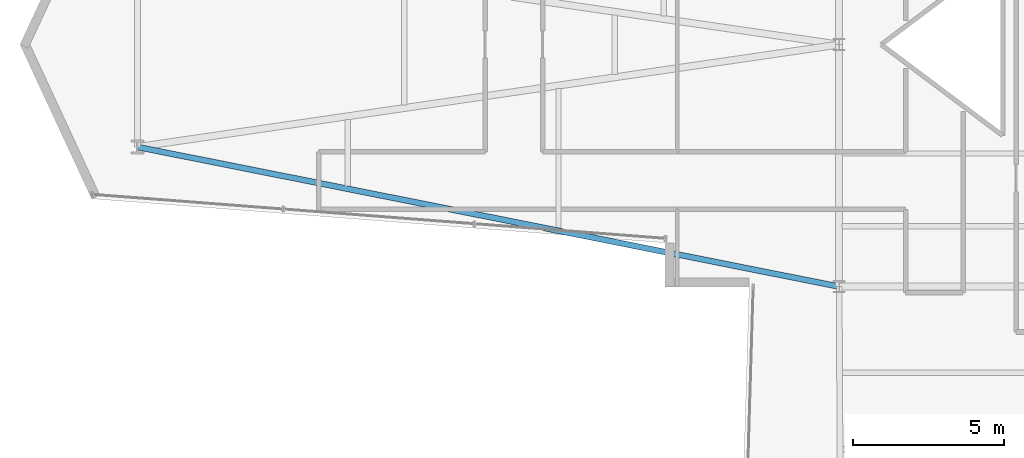
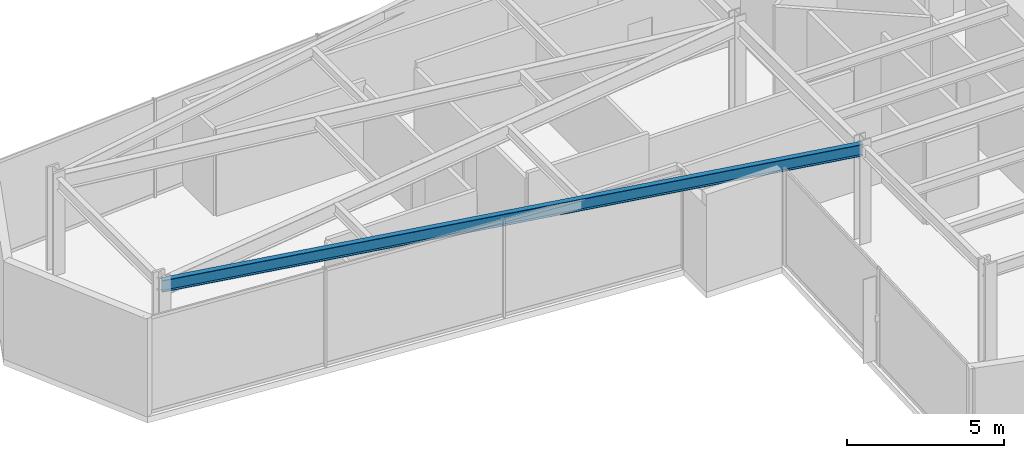
# One storey, part 3 of 29: 1 beam.
"""IFC4 building model written with IfcOpenShell, lengths in metres."""

import ifcopenshell
import ifcopenshell.guid

model = None  # the IFC model being written
_history = None  # IfcOwnerHistory: only IFC2X3 demands one
_inside = {}  # id of a spatial element -> (the spatial element, [elements in it])
_under = {}  # id of a project, library or spatial element -> (it, [spatial elements below it])
_declared = {}  # id of a project -> (the project, [libraries it declares])
_typed = {}  # id of a type object -> (the type object, [elements of that type])
_made_of = {}  # id of a material, layer set ... -> (it, [elements and type objects made of it])


def new_model(schema):
    """Start an empty IFC model of exactly this schema.

    Asked for "IFC4X3", IfcOpenShell would pick the latest addendum, in which some entities
    have other attributes; the version numbers below select the first issue.
    IFC2X3 requires an IfcOwnerHistory on every rooted entity: one is made here for all.
    """
    global model, _history
    if schema == "IFC4X3":
        model = ifcopenshell.file(schema_version=(4, 3, 0, 0))
    else:
        model = ifcopenshell.file(schema=schema)
    _inside.clear()
    _under.clear()
    _declared.clear()
    _typed.clear()
    _made_of.clear()
    _history = None
    if model.schema == "IFC2X3":
        org = make("IfcOrganization", Name="unknown")
        user = make(
            "IfcPersonAndOrganization",
            ThePerson=make("IfcPerson", FamilyName="unknown"),
            TheOrganization=org,
        )
        app = make(
            "IfcApplication",
            ApplicationDeveloper=org,
            Version="unknown",
            ApplicationFullName="unknown",
            ApplicationIdentifier="unknown",
        )
        _history = make(
            "IfcOwnerHistory",
            OwningUser=user,
            OwningApplication=app,
            ChangeAction="ADDED",
            CreationDate=0,
        )
    return model


def make(cls, **values):
    """One entity of the class cls with the attributes given. An attribute that is None is left unset."""
    return model.create_entity(
        cls, **{name: value for name, value in values.items() if value is not None}
    )


def rooted(cls, **values):
    """An entity with a GlobalId (a new one), such as an element, a storey or a relation."""
    return make(cls, GlobalId=ifcopenshell.guid.new(), OwnerHistory=_history, **values)


def si_unit(unit_type, name, prefix=None):
    """IfcSIUnit, for example si_unit("LENGTHUNIT", "METRE", prefix="MILLI")."""
    return make("IfcSIUnit", UnitType=unit_type, Prefix=prefix, Name=name)


def assignment(units):
    """IfcUnitAssignment: the units of a project."""
    return None if units is None else make("IfcUnitAssignment", Units=units)


def point(xyz):
    """IfcCartesianPoint."""
    return None if xyz is None else make("IfcCartesianPoint", Coordinates=xyz)


def direction(xyz):
    """IfcDirection."""
    return None if xyz is None else make("IfcDirection", DirectionRatios=xyz)


def frame(location, z_axis=None, x_axis=None):
    """IfcAxis2Placement3D, a coordinate frame: its origin and axes. An axis left out is left unset."""
    return make(
        "IfcAxis2Placement3D",
        Location=point(location),
        Axis=direction(z_axis),
        RefDirection=direction(x_axis),
    )


def frame_2d(location, x_axis=None):
    """IfcAxis2Placement2D, a coordinate frame in the plane: its origin and x axis."""
    return make(
        "IfcAxis2Placement2D", Location=point(location), RefDirection=direction(x_axis)
    )


def origin():
    """The frame at (0, 0, 0) with its axes left unset."""
    return frame((0.0, 0.0, 0.0))


def origin_2d():
    """The frame at (0, 0) in the plane with its x axis left unset."""
    return frame_2d((0.0, 0.0))


def place(relative_to, where):
    """IfcLocalPlacement: puts the frame where relative to a parent placement (None: the world)."""
    return make(
        "IfcLocalPlacement", PlacementRelTo=relative_to, RelativePlacement=where
    )


def context(
    kind, dimensions, precision=None, world=None, true_north=None, identifier=None
):
    """IfcGeometricRepresentationContext, for example the 3D "Model" context."""
    return make(
        "IfcGeometricRepresentationContext",
        ContextIdentifier=identifier,
        ContextType=kind,
        CoordinateSpaceDimension=dimensions,
        Precision=precision,
        WorldCoordinateSystem=world,
        TrueNorth=true_north,
    )


def subcontext(parent, identifier, kind, view, scale=None):
    """IfcGeometricRepresentationSubContext, for example "Body" below "Model"."""
    return make(
        "IfcGeometricRepresentationSubContext",
        ContextIdentifier=identifier,
        ContextType=kind,
        ParentContext=parent,
        TargetScale=scale,
        TargetView=view,
    )


def project(units=None, contexts=None):
    """IfcProject with its units and contexts."""
    return rooted(
        "IfcProject",
        Name="project",
        RepresentationContexts=contexts,
        UnitsInContext=assignment(units),
    )


def spatial(cls, under=None, at=None, **own):
    """A site, building, storey or space (cls), placed at a placement, below another one or the project."""
    s = rooted(cls, ObjectPlacement=at, **own)
    if under is not None:
        _under.setdefault(under.id(), (under, []))[1].append(s)
    return s


def profile(cls, at=None, kind="AREA", **sizes):
    """A parametric profile (cls). Its sizes go by their IFC names, for example OverallWidth=200.0."""
    return make(cls, ProfileType=kind, Position=at, **sizes)


def i_section(**sizes):
    """IfcIShapeProfileDef."""
    return profile("IfcIShapeProfileDef", **sizes)


def extrude(swept, where, along, depth):
    """IfcExtrudedAreaSolid: the profile swept, set in the frame where, extruded along a direction by depth."""
    return make(
        "IfcExtrudedAreaSolid",
        SweptArea=swept,
        Position=where,
        ExtrudedDirection=direction(along),
        Depth=depth,
    )


def shape(context_of_items, identifier, shape_type, items):
    """IfcShapeRepresentation: the items that make up one representation, for example the "Body"."""
    return make(
        "IfcShapeRepresentation",
        ContextOfItems=context_of_items,
        RepresentationIdentifier=identifier,
        RepresentationType=shape_type,
        Items=items,
    )


def material(Name=None, Category=None):
    """IfcMaterial."""
    return make("IfcMaterial", Name=Name, Category=Category)


def material_profile(
    of_material, cross_section, Name=None, Category=None, Priority=None
):
    """IfcMaterialProfile: a cross section and its material."""
    return make(
        "IfcMaterialProfile",
        Name=Name,
        Material=of_material,
        Profile=cross_section,
        Priority=Priority,
        Category=Category,
    )


def profile_set(profiles, Name=None, composite=None):
    """IfcMaterialProfileSet."""
    return make(
        "IfcMaterialProfileSet",
        Name=Name,
        MaterialProfiles=profiles,
        CompositeProfile=composite,
    )


def made_of(thing, what):
    """Note that an element or type object is made of a material, layer set ...; save() writes the relation."""
    if what is not None:
        _made_of.setdefault(what.id(), (what, []))[1].append(thing)
    return thing


def type_object(cls, material=None, **own):
    """A type object (cls), such as IfcWallType, which elements share."""
    return made_of(rooted(cls, **own), material)


def element(
    cls,
    number,
    at=None,
    inside=None,
    cuts=None,
    type_object=None,
    material=None,
    context=None,
    identifier="Body",
    shape_type=None,
    held_by="IfcProductDefinitionShape",
    body=None,
    shapes=None,
    **own,
):
    """One element of the class cls, such as IfcWall. Its Tag is "e" and its number.

    at: its placement. inside: the storey or other place that contains it. cuts: it is an
    opening in that element (IfcRelVoidsElement). A single representation is given by context,
    identifier, shape_type and body (its items); several are given by shapes. held_by: the class
    of the entity that holds the representations. save() writes the other relations.
    """
    e = rooted(cls, Tag="e%d" % number, ObjectPlacement=at, **own)
    if body is not None:
        shapes = [shape(context, identifier, shape_type, body)]
    if shapes is not None:
        e.Representation = make(held_by, Representations=shapes)
    if inside is not None:
        _inside.setdefault(inside.id(), (inside, []))[1].append(e)
    if cuts is not None:
        rooted(
            "IfcRelVoidsElement", RelatingBuildingElement=cuts, RelatedOpeningElement=e
        )
    if type_object is not None:
        _typed.setdefault(type_object.id(), (type_object, []))[1].append(e)
    return made_of(e, material)


def aggregate(whole, parts):
    """IfcRelAggregates: a whole, such as a stair, and the parts it consists of."""
    return rooted("IfcRelAggregates", RelatingObject=whole, RelatedObjects=parts)


def save(model, path):
    """Write the relations noted so far, then the file.

    IfcRelAggregates (storeys below a building ...), IfcRelContainedInSpatialStructure (elements
    in a storey), IfcRelDefinesByType, IfcRelAssociatesMaterial and IfcRelDeclares: one each for
    every whole, place, type object, material and project.
    """
    for whole, parts in _under.values():
        aggregate(whole, parts)
    for where, things in _inside.values():
        rooted(
            "IfcRelContainedInSpatialStructure",
            RelatedElements=things,
            RelatingStructure=where,
        )
    for kind, things in _typed.values():
        rooted("IfcRelDefinesByType", RelatedObjects=things, RelatingType=kind)
    for what, things in _made_of.values():
        rooted("IfcRelAssociatesMaterial", RelatedObjects=things, RelatingMaterial=what)
    for by, libraries in _declared.values():
        rooted("IfcRelDeclares", RelatingContext=by, RelatedDefinitions=libraries)
    model.write(path)


model = new_model("IFC4")

# Units and contexts
model_context = context("Model", 3, precision=1e-05, world=origin(), true_north=direction((0.0, 1.0)))
body_context = subcontext(model_context, "Body", "Model", "MODEL_VIEW")
ifc_project = project(units=[si_unit("LENGTHUNIT", "METRE"), si_unit("AREAUNIT", "SQUARE_METRE"), si_unit("VOLUMEUNIT", "CUBIC_METRE"), si_unit("PLANEANGLEUNIT", "RADIAN"), si_unit("MASSUNIT", "GRAM", prefix="KILO")], contexts=[model_context])

# Site, building, storey
site_placement = place(None, origin())
site = spatial("IfcSite", under=ifc_project, at=site_placement, CompositionType="ELEMENT")
building_placement = place(site_placement, origin())
building = spatial("IfcBuilding", under=site, at=building_placement, Name="Veymaron Broadcast Tower", CompositionType="ELEMENT")
storey_placement = place(building_placement, frame((0.0, 0.0, 41.85009765625)))
storey = spatial("IfcBuildingStorey", under=building, at=storey_placement, Name="L08", CompositionType="ELEMENT", Elevation=41.85009765625)

# Beam
ifc_material = material(Name="Structural steel ASTM A992 Gr 50", Category="steel")
ifc_material_profile = material_profile(ifc_material, i_section(OverallWidth=0.19091796875, OverallDepth=0.4599609375, WebThickness=0.010009765625, FlangeThickness=0.01611328125, at=origin_2d()), Name="W460X82")
ifc_profile_set = profile_set([ifc_material_profile], Name="Structural steel ASTM A992 Gr 50")
beam_type = type_object("IfcBeamType", Name="BM-SP1", PredefinedType="SPANDREL", material=ifc_profile_set)
beam_placement = place(storey_placement, frame((8.007080078125, 20.614990234375, 3.579833984375), z_axis=(0.980771997416, -0.195157088225, 0.0), x_axis=(0.195157088225, 0.980771997416, 0.0)))
element("IfcBeam", 1, at=beam_placement, inside=storey, type_object=beam_type, Name="L08 primary structural floor girder", PredefinedType="SPANDREL", context=body_context, shape_type="SweptSolid", body=[
    extrude(i_section(OverallWidth=0.19091796875, OverallDepth=0.4599609375, WebThickness=0.010009765625, FlangeThickness=0.01611328125, at=origin_2d()), origin(), (0.0, 0.0, 1.0), 23.6474609375),
])

save(model, "model.ifc")
